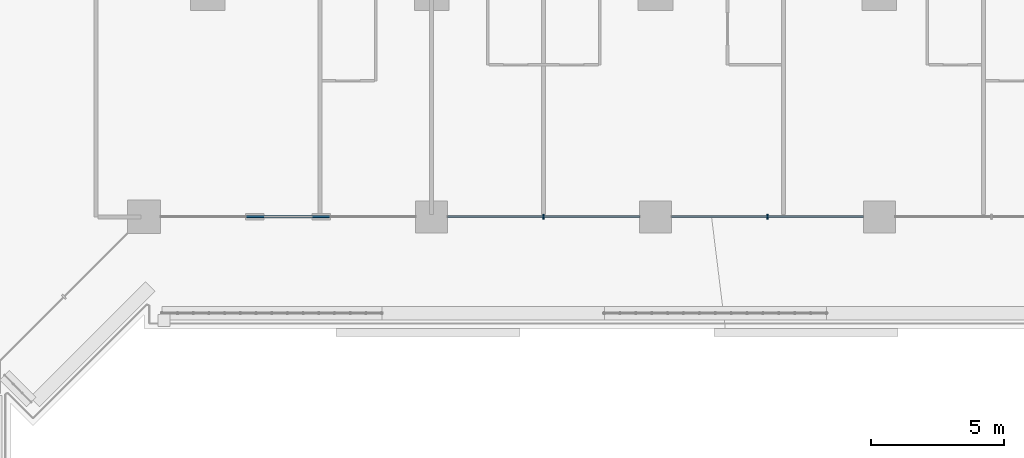
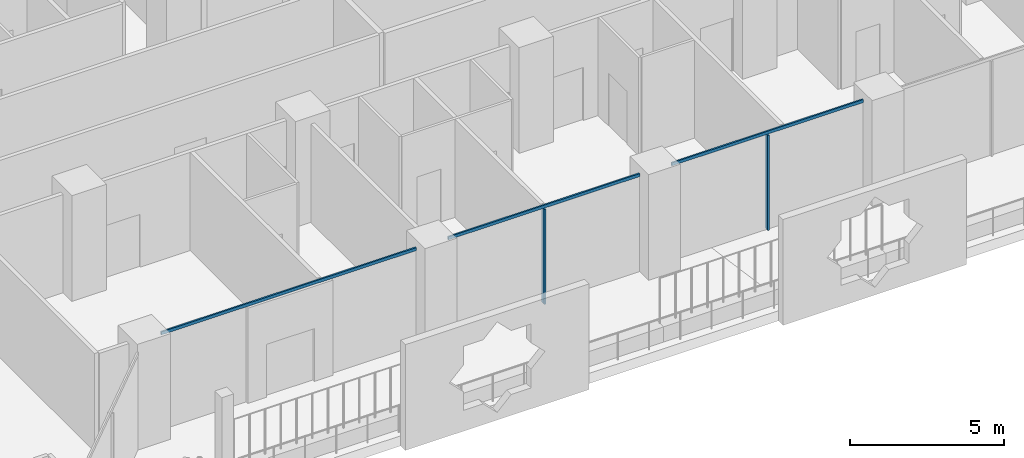
# One storey, part 6 of 28: 5 members, 1 element without a shape of its own.
"""IFC4 building model written with IfcOpenShell, lengths in metres."""

from ifc_helpers import new_model, si_unit, direction, frame, origin, origin_2d, place, context, subcontext, project, spatial, rectangle, extrude, material, layer, layer_set, material_profile, profile_set, type_object, element, aggregate, save


model = new_model("IFC4")

# Units and contexts
model_context = context("Model", 3, precision=1e-05, world=origin(), true_north=direction((0.0, 1.0)))
body_context = subcontext(model_context, "Body", "Model", "MODEL_VIEW")
ifc_project = project(units=[si_unit("LENGTHUNIT", "METRE"), si_unit("AREAUNIT", "SQUARE_METRE"), si_unit("VOLUMEUNIT", "CUBIC_METRE"), si_unit("PLANEANGLEUNIT", "RADIAN"), si_unit("MASSUNIT", "GRAM", prefix="KILO")], contexts=[model_context])

# Site, building, storey
site_placement = place(None, origin())
site = spatial("IfcSite", under=ifc_project, at=site_placement, CompositionType="ELEMENT")
building_placement = place(site_placement, origin())
building = spatial("IfcBuilding", under=site, at=building_placement, Name="Kawkab Arch Medical Tower", CompositionType="ELEMENT")
storey_placement = place(building_placement, frame((0.0, 0.0, 72.800048828125)))
storey = spatial("IfcBuildingStorey", under=building, at=storey_placement, Name="L16", CompositionType="ELEMENT", Elevation=72.800048828125)

# Curtain wall, members
ifc_material_1 = material(Name="Bronze anodised aluminium curtain wall frame", Category="aluminium")
ifc_layer = layer(ifc_material_1, 0.159912109375)
ifc_layer_set = layer_set([ifc_layer], Name="Bronze anodised aluminium curtain wall frame")
curtain_wall_type = type_object("IfcCurtainWallType", Name="CW1 ward curtain wall", PredefinedType="NOTDEFINED", material=ifc_layer_set)
curtain_wall_placement = place(storey_placement, origin())
curtain_wall = element("IfcCurtainWall", 1, at=curtain_wall_placement, inside=storey, type_object=curtain_wall_type, Name="CW1 Ward curtain wall R07", PredefinedType="NOTDEFINED")
ifc_material_2 = material(Name="Bronze anodised aluminium curtain wall frame", Category="aluminium")
ifc_material_profile_1 = material_profile(ifc_material_2, rectangle(XDim=0.179931640625, YDim=0.06005859375, at=origin_2d()), Name="AL 60x180")
ifc_profile_set_1 = profile_set([ifc_material_profile_1], Name="Bronze anodised aluminium curtain wall frame")
member_type_1 = type_object("IfcMemberType", Name="CW1 mullion 60 x 180", PredefinedType="MULLION", material=ifc_profile_set_1)
member_1_placement = place(storey_placement, frame((46.199951171875, -25.199951171875, 0.0), z_axis=(0.0, 0.0, 1.0), x_axis=(0.0, 1.0, 0.0)))
member_1 = element("IfcMember", 2, at=member_1_placement, type_object=member_type_1, Name="CW1 mullion 2.1", PredefinedType="MULLION", context=body_context, shape_type="SweptSolid", body=[
    extrude(rectangle(XDim=0.179931640625, YDim=0.06005859375, at=origin_2d()), origin(), (0.0, 0.0, 1.0), 3.780029296875),
])
member_2_placement = place(storey_placement, frame((54.60009765625, -25.199951171875, 0.0), z_axis=(0.0, 0.0, 1.0), x_axis=(0.0, 1.0, 0.0)))
member_2 = element("IfcMember", 3, at=member_2_placement, type_object=member_type_1, Name="CW1 mullion 3.1", PredefinedType="MULLION", context=body_context, shape_type="SweptSolid", body=[
    extrude(rectangle(XDim=0.179931640625, YDim=0.06005859375, at=origin_2d()), origin(), (0.0, 0.0, 1.0), 3.780029296875),
])
ifc_material_3 = material(Name="Bronze anodised aluminium curtain wall frame", Category="aluminium")
ifc_material_profile_2 = material_profile(ifc_material_3, rectangle(XDim=0.06005859375, YDim=0.1201171875, at=origin_2d()), Name="AL 60x120")
ifc_profile_set_2 = profile_set([ifc_material_profile_2], Name="Bronze anodised aluminium curtain wall frame")
member_type_2 = type_object("IfcMemberType", Name="CW1 transom 120 x 60", PredefinedType="USERDEFINED", material=ifc_profile_set_2)
member_3_placement = place(storey_placement, frame((31.824951171875, -25.199951171875, 3.83984375), z_axis=(1.0, 0.0, 0.0), x_axis=(0.0, 1.0, 0.0)))
member_3 = element("IfcMember", 4, at=member_3_placement, type_object=member_type_2, Name="CW1 transom 1", ObjectType="TRANSOM", PredefinedType="USERDEFINED", context=body_context, shape_type="SweptSolid", body=[
    extrude(rectangle(XDim=0.06005859375, YDim=0.1201171875, at=origin_2d()), origin(), (0.0, 0.0, 1.0), 9.574951171875),
])
member_4_placement = place(storey_placement, frame((42.60009765625, -25.199951171875, 3.83984375), z_axis=(1.0, 0.0, 0.0), x_axis=(0.0, 1.0, 0.0)))
member_4 = element("IfcMember", 5, at=member_4_placement, type_object=member_type_2, Name="CW1 transom 2", ObjectType="TRANSOM", PredefinedType="USERDEFINED", context=body_context, shape_type="SweptSolid", body=[
    extrude(rectangle(XDim=0.06005859375, YDim=0.1201171875, at=origin_2d()), origin(), (0.0, 0.0, 1.0), 7.199951171875),
])
member_5_placement = place(storey_placement, frame((51.0, -25.199951171875, 3.83984375), z_axis=(1.0, 0.0, 0.0), x_axis=(0.0, 1.0, 0.0)))
member_5 = element("IfcMember", 6, at=member_5_placement, type_object=member_type_2, Name="CW1 transom 3", ObjectType="TRANSOM", PredefinedType="USERDEFINED", context=body_context, shape_type="SweptSolid", body=[
    extrude(rectangle(XDim=0.06005859375, YDim=0.1201171875, at=origin_2d()), origin(), (0.0, 0.0, 1.0), 7.199951171875),
])
aggregate(curtain_wall, [member_3, member_4, member_1, member_5, member_2])

save(model, "model.ifc")
